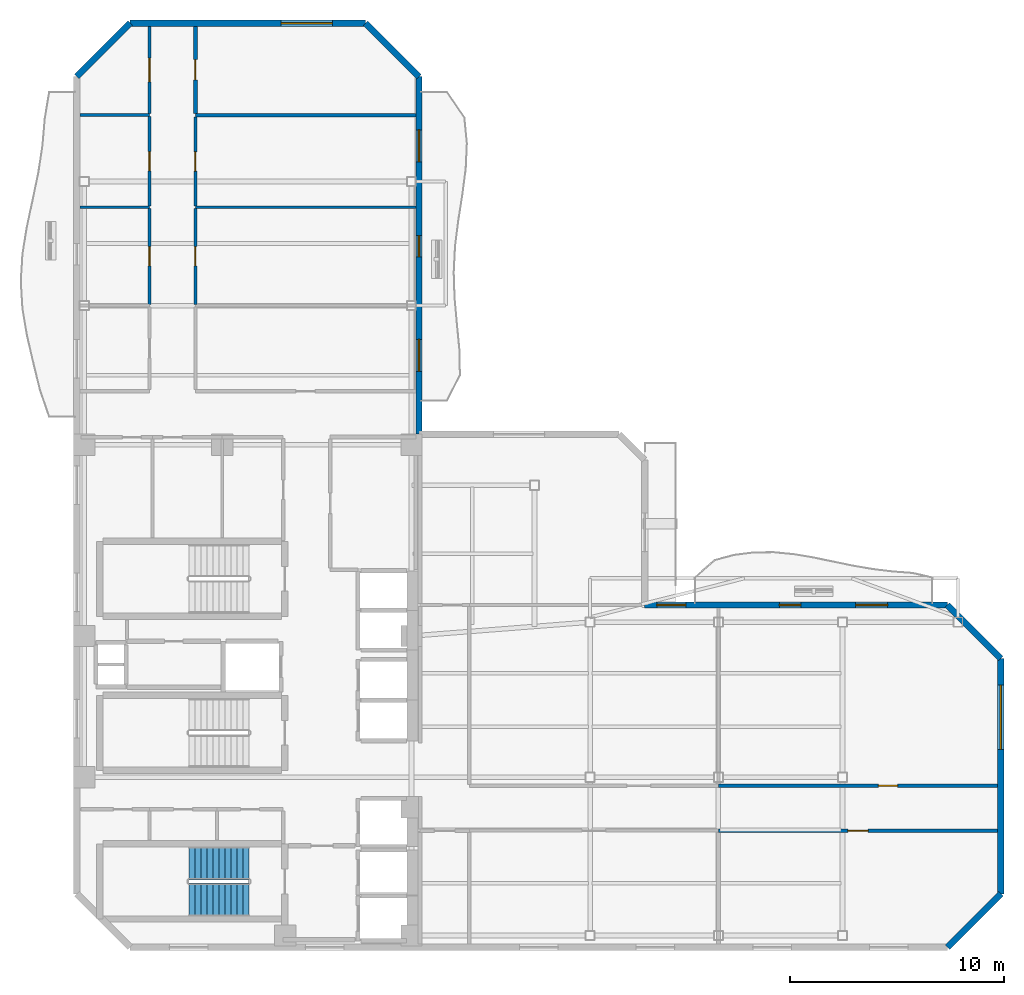
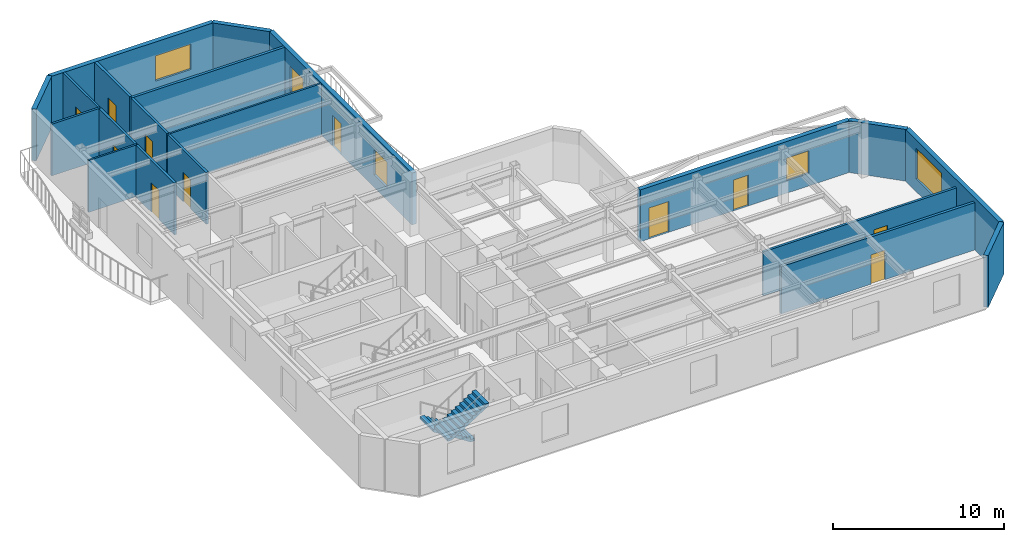
# One storey, part 5 of 8: 20 walls, 11 doors, 5 windows, 2 stair flights, 16 openings, 1 element without a shape of its own.
"""IFC4 building model written with IfcOpenShell, lengths in metres."""

from ifc_helpers import new_model, si_unit, direction, frame, frame_2d, origin, place, context, subcontext, project, spatial, polyline, rectangle, outline, extrude, material, layer, layer_set, type_object, element, fill, aggregate, save


model = new_model("IFC4")

# Units and contexts
model_context = context("Model", 3, precision=1e-05, world=origin(), true_north=direction((0.0, 1.0)))
body_context = subcontext(model_context, "Body", "Model", "MODEL_VIEW")
ifc_project = project(units=[si_unit("LENGTHUNIT", "METRE"), si_unit("AREAUNIT", "SQUARE_METRE"), si_unit("VOLUMEUNIT", "CUBIC_METRE"), si_unit("PLANEANGLEUNIT", "RADIAN"), si_unit("MASSUNIT", "GRAM", prefix="KILO")], contexts=[model_context])

# Site, building, storey
site_placement = place(None, origin())
site = spatial("IfcSite", under=ifc_project, at=site_placement, CompositionType="ELEMENT")
building_placement = place(site_placement, origin())
building = spatial("IfcBuilding", under=site, at=building_placement, Name="Mawjaban Terraces University", CompositionType="ELEMENT")
storey_placement = place(building_placement, frame((0.0, 0.0, 187.5)))
storey = spatial("IfcBuildingStorey", under=building, at=storey_placement, Name="L45", CompositionType="ELEMENT", Elevation=187.5)

# Wall
ifc_material_1 = material(Name="Acoustic masonry blockwork", Category="masonry")
ifc_layer_1 = layer(ifc_material_1, 0.179931640625)
ifc_layer_set_1 = layer_set([ifc_layer_1], Name="Acoustic masonry blockwork")
wall_type_1 = type_object("IfcWallType", Name="AcousticStudioWall_180", PredefinedType="PARTITIONING", material=ifc_layer_set_1)
wall_1_placement = place(storey_placement, frame((37.85009765625, 38.89990234375, 0.0), z_axis=(0.0, 0.0, 1.0), x_axis=(-1.0, 0.0, 0.0)))
element("IfcWall", 1, at=wall_1_placement, inside=storey, type_object=wall_type_1, Name="L45 Student Tea Pantry 11 Partition 20", PredefinedType="PARTITIONING", context=body_context, shape_type="SweptSolid", body=[
    extrude(rectangle(XDim=10.300048828125, YDim=0.179931640625, at=frame_2d((5.14990234375, 0.0))), origin(), (0.0, 0.0, 1.0), 3.68994140625),
])

# Wall, opening, door
wall_2_placement = place(storey_placement, frame((52.0, 5.449951171875, 0.0), z_axis=(0.0, 0.0, 1.0), x_axis=(1.0, 0.0, 0.0)))
wall_2 = element("IfcWall", 2, at=wall_2_placement, inside=storey, type_object=wall_type_1, Name="L45 South Shifted Academic Corridor Partition 25", PredefinedType="PARTITIONING", context=body_context, shape_type="SweptSolid", body=[
    extrude(rectangle(XDim=13.054931640625, YDim=0.179931640625, at=frame_2d((6.52734375, 0.0))), origin(), (0.0, 0.0, 1.0), 3.3720703125),
])
opening_1_placement = place(wall_2_placement, frame((6.052978515625, 0.0, 0.0)))
opening_1 = element("IfcOpeningElement", 3, at=opening_1_placement, cuts=wall_2, Name="Opening ID-095", PredefinedType="OPENING", context=body_context, shape_type="SweptSolid", body=[
    extrude(rectangle(XDim=0.949951171875, YDim=2.10009765625, at=frame_2d((0.47509765625, 1.050048828125))), frame((0.0, 0.099853515625, 0.0), z_axis=(0.0, -1.0, 0.0), x_axis=(1.0, 0.0, 0.0)), (0.0, 0.0, 1.0), 0.199951171875),
])
ifc_material_2 = material(Name="Powder-coated steel frame and solid acoustic timber leaf", Category="steel")
door_type_1 = type_object("IfcDoorType", Name="StudioDoor_950x2100", OperationType="NOTDEFINED", PredefinedType="DOOR", material=ifc_material_2)
door_1_placement = place(opening_1_placement, origin())
door_1 = element("IfcDoor", 4, at=door_1_placement, inside=storey, type_object=door_type_1, Name="L45 Design Studio 4 Door", OperationType="SINGLE_SWING_LEFT", OverallHeight=2.10009765625, OverallWidth=0.949951171875, PredefinedType="DOOR", context=body_context, shape_type="SweptSolid", body=[
    extrude(rectangle(XDim=0.949951171875, YDim=2.10009765625, at=frame_2d((0.47509765625, 1.050048828125))), frame((0.0, 0.02490234375, 0.0), z_axis=(0.0, -1.0, 0.0), x_axis=(1.0, 0.0, 0.0)), (0.0, 0.0, 1.0), 0.050048828125),
])
fill(opening_1, door_1)

wall_3_placement = place(storey_placement, frame((27.550048828125, 38.985107421875, 0.0), z_axis=(0.0, 0.0, 1.0), x_axis=(0.0, 1.0, 0.0)))
wall_3 = element("IfcWall", 5, at=wall_3_placement, inside=storey, type_object=wall_type_1, Name="L45 West Shifted Academic Corridor Partition 38", PredefinedType="PARTITIONING", context=body_context, shape_type="SweptSolid", body=[
    extrude(rectangle(XDim=4.06982421875, YDim=0.179931640625, at=frame_2d((2.034912109375, 0.0))), origin(), (0.0, 0.0, 1.0), 3.68994140625),
])
opening_2_placement = place(wall_3_placement, frame((1.56005859375, 0.0, 0.0)))
opening_2 = element("IfcOpeningElement", 6, at=opening_2_placement, cuts=wall_3, Name="Opening ID-095", PredefinedType="OPENING", context=body_context, shape_type="SweptSolid", body=[
    extrude(rectangle(XDim=0.949951171875, YDim=2.10009765625, at=frame_2d((0.47509765625, 1.050048828125))), frame((0.0, 0.099853515625, 0.0), z_axis=(0.0, -1.0, 0.0), x_axis=(1.0, 0.0, 0.0)), (0.0, 0.0, 1.0), 0.199951171875),
])
door_2_placement = place(opening_2_placement, origin())
door_2 = element("IfcDoor", 7, at=door_2_placement, inside=storey, type_object=door_type_1, Name="L45 Design Studio 13 Door", OperationType="SINGLE_SWING_RIGHT", OverallHeight=2.10009765625, OverallWidth=0.949951171875, PredefinedType="DOOR", context=body_context, shape_type="SweptSolid", body=[
    extrude(rectangle(XDim=0.949951171875, YDim=2.10009765625, at=frame_2d((0.47509765625, 1.050048828125))), frame((0.0, 0.02490234375, 0.0), z_axis=(0.0, -1.0, 0.0), x_axis=(1.0, 0.0, 0.0)), (0.0, 0.0, 1.0), 0.050048828125),
])
fill(opening_2, door_2)

ifc_material_3 = material(Name="Fire-rated gypsum board on steel stud", Category="steel")
ifc_layer_2 = layer(ifc_material_3, 0.159912109375)
ifc_layer_set_2 = layer_set([ifc_layer_2], Name="Fire-rated gypsum board on steel stud")
wall_type_2 = type_object("IfcWallType", Name="CorridorPartition_160", PredefinedType="PARTITIONING", material=ifc_layer_set_2)
wall_4_placement = place(storey_placement, frame((65.054931640625, 7.550048828125, 0.0), z_axis=(0.0, 0.0, 1.0), x_axis=(-1.0, 0.0, 0.0)))
wall_4 = element("IfcWall", 8, at=wall_4_placement, inside=storey, type_object=wall_type_2, Name="L45 South Shifted Academic Corridor Partition 27", PredefinedType="PARTITIONING", context=body_context, shape_type="SweptSolid", body=[
    extrude(rectangle(XDim=13.054931640625, YDim=0.159912109375, at=frame_2d((6.52734375, 0.0))), origin(), (0.0, 0.0, 1.0), 3.14599609375),
])
opening_3_placement = place(wall_4_placement, frame((4.677978515625, 0.0, 0.0)))
opening_3 = element("IfcOpeningElement", 9, at=opening_3_placement, cuts=wall_4, Name="Opening ID-090", PredefinedType="OPENING", context=body_context, shape_type="SweptSolid", body=[
    extrude(rectangle(XDim=0.89990234375, YDim=2.10009765625, at=frame_2d((0.449951171875, 1.050048828125))), frame((0.0, 0.08984375, 0.0), z_axis=(0.0, -1.0, 0.0), x_axis=(1.0, 0.0, 0.0)), (0.0, 0.0, 1.0), 0.179931640625),
])
door_type_2 = type_object("IfcDoorType", Name="OfficeDoor_900x2100", OperationType="NOTDEFINED", PredefinedType="DOOR", material=ifc_material_2)
door_3_placement = place(opening_3_placement, origin())
door_3 = element("IfcDoor", 10, at=door_3_placement, inside=storey, type_object=door_type_2, Name="L45 Faculty Office 5 Door", OperationType="SINGLE_SWING_RIGHT", OverallHeight=2.10009765625, OverallWidth=0.89990234375, PredefinedType="DOOR", context=body_context, shape_type="SweptSolid", body=[
    extrude(rectangle(XDim=0.89990234375, YDim=2.10009765625, at=frame_2d((0.449951171875, 1.050048828125))), frame((0.0, 0.02490234375, 0.0), z_axis=(0.0, -1.0, 0.0), x_axis=(1.0, 0.0, 0.0)), (0.0, 0.0, 1.0), 0.050048828125),
])
fill(opening_3, door_3)

wall_5_placement = place(storey_placement, frame((25.39990234375, 34.54296875, 0.0), z_axis=(0.0, 0.0, 1.0), x_axis=(0.0, -1.0, 0.0)))
wall_5 = element("IfcWall", 11, at=wall_5_placement, inside=storey, type_object=wall_type_2, Name="L45 West Shifted Academic Corridor Partition 31", PredefinedType="PARTITIONING", context=body_context, shape_type="SweptSolid", body=[
    extrude(rectangle(XDim=4.48486328125, YDim=0.159912109375, at=frame_2d((2.242431640625, 0.0))), origin(), (0.0, 0.0, 1.0), 3.68994140625),
])
opening_4_placement = place(wall_5_placement, frame((1.7919921875, 0.0, 0.0)))
opening_4 = element("IfcOpeningElement", 12, at=opening_4_placement, cuts=wall_5, Name="Opening ID-090", PredefinedType="OPENING", context=body_context, shape_type="SweptSolid", body=[
    extrude(rectangle(XDim=0.89990234375, YDim=2.10009765625, at=frame_2d((0.449951171875, 1.050048828125))), frame((0.0, 0.08984375, 0.0), z_axis=(0.0, -1.0, 0.0), x_axis=(1.0, 0.0, 0.0)), (0.0, 0.0, 1.0), 0.179931640625),
])
door_4_placement = place(opening_4_placement, origin())
door_4 = element("IfcDoor", 13, at=door_4_placement, inside=storey, type_object=door_type_2, Name="L45 Faculty Office 8 Door", OperationType="SINGLE_SWING_LEFT", OverallHeight=2.10009765625, OverallWidth=0.89990234375, PredefinedType="DOOR", context=body_context, shape_type="SweptSolid", body=[
    extrude(rectangle(XDim=0.89990234375, YDim=2.10009765625, at=frame_2d((0.449951171875, 1.050048828125))), frame((0.0, 0.02490234375, 0.0), z_axis=(0.0, -1.0, 0.0), x_axis=(1.0, 0.0, 0.0)), (0.0, 0.0, 1.0), 0.050048828125),
])
fill(opening_4, door_4)

wall_6_placement = place(storey_placement, frame((25.39990234375, 38.83203125, 0.0), z_axis=(0.0, 0.0, 1.0), x_axis=(0.0, -1.0, 0.0)))
wall_6 = element("IfcWall", 14, at=wall_6_placement, inside=storey, type_object=wall_type_2, Name="L45 West Shifted Academic Corridor Partition 32", PredefinedType="PARTITIONING", context=body_context, shape_type="SweptSolid", body=[
    extrude(rectangle(XDim=4.175048828125, YDim=0.159912109375, at=frame_2d((2.08740234375, 0.0))), origin(), (0.0, 0.0, 1.0), 3.68994140625),
])
opening_5_placement = place(wall_6_placement, frame((1.637939453125, 0.0, 0.0)))
opening_5 = element("IfcOpeningElement", 15, at=opening_5_placement, cuts=wall_6, Name="Opening ID-090", PredefinedType="OPENING", context=body_context, shape_type="SweptSolid", body=[
    extrude(rectangle(XDim=0.89990234375, YDim=2.10009765625, at=frame_2d((0.449951171875, 1.050048828125))), frame((0.0, 0.08984375, 0.0), z_axis=(0.0, -1.0, 0.0), x_axis=(1.0, 0.0, 0.0)), (0.0, 0.0, 1.0), 0.179931640625),
])
door_5_placement = place(opening_5_placement, origin())
door_5 = element("IfcDoor", 16, at=door_5_placement, inside=storey, type_object=door_type_2, Name="L45 Faculty Office 10 Door", OperationType="SINGLE_SWING_LEFT", OverallHeight=2.10009765625, OverallWidth=0.89990234375, PredefinedType="DOOR", context=body_context, shape_type="SweptSolid", body=[
    extrude(rectangle(XDim=0.89990234375, YDim=2.10009765625, at=frame_2d((0.449951171875, 1.050048828125))), frame((0.0, 0.02490234375, 0.0), z_axis=(0.0, -1.0, 0.0), x_axis=(1.0, 0.0, 0.0)), (0.0, 0.0, 1.0), 0.050048828125),
])
fill(opening_5, door_5)

wall_7_placement = place(storey_placement, frame((27.550048828125, 30.05810546875, 0.0), z_axis=(0.0, 0.0, 1.0), x_axis=(0.0, 1.0, 0.0)))
wall_7 = element("IfcWall", 17, at=wall_7_placement, inside=storey, type_object=wall_type_2, Name="L45 West Shifted Academic Corridor Partition 36", PredefinedType="PARTITIONING", context=body_context, shape_type="SweptSolid", body=[
    extrude(rectangle(XDim=4.48486328125, YDim=0.159912109375, at=frame_2d((2.242431640625, 0.0))), origin(), (0.0, 0.0, 1.0), 3.68994140625),
])
opening_6_placement = place(wall_7_placement, frame((1.7919921875, 0.0, 0.0)))
opening_6 = element("IfcOpeningElement", 18, at=opening_6_placement, cuts=wall_7, Name="Opening ID-090", PredefinedType="OPENING", context=body_context, shape_type="SweptSolid", body=[
    extrude(rectangle(XDim=0.89990234375, YDim=2.10009765625, at=frame_2d((0.449951171875, 1.050048828125))), frame((0.0, 0.08984375, 0.0), z_axis=(0.0, -1.0, 0.0), x_axis=(1.0, 0.0, 0.0)), (0.0, 0.0, 1.0), 0.179931640625),
])
door_6_placement = place(opening_6_placement, origin())
door_6 = element("IfcDoor", 19, at=door_6_placement, inside=storey, type_object=door_type_2, Name="L45 Departmental Office 9 Door", OperationType="SINGLE_SWING_RIGHT", OverallHeight=2.10009765625, OverallWidth=0.89990234375, PredefinedType="DOOR", context=body_context, shape_type="SweptSolid", body=[
    extrude(rectangle(XDim=0.89990234375, YDim=2.10009765625, at=frame_2d((0.449951171875, 1.050048828125))), frame((0.0, 0.02490234375, 0.0), z_axis=(0.0, -1.0, 0.0), x_axis=(1.0, 0.0, 0.0)), (0.0, 0.0, 1.0), 0.050048828125),
])
fill(opening_6, door_6)

wall_8_placement = place(storey_placement, frame((27.550048828125, 34.656982421875, 0.0), z_axis=(0.0, 0.0, 1.0), x_axis=(0.0, 1.0, 0.0)))
wall_8 = element("IfcWall", 20, at=wall_8_placement, inside=storey, type_object=wall_type_2, Name="L45 West Shifted Academic Corridor Partition 37", PredefinedType="PARTITIONING", context=body_context, shape_type="SweptSolid", body=[
    extrude(rectangle(XDim=4.157958984375, YDim=0.159912109375, at=frame_2d((2.0791015625, 0.0))), origin(), (0.0, 0.0, 1.0), 3.68994140625),
])
opening_7_placement = place(wall_8_placement, frame((1.62890625, 0.0, 0.0)))
opening_7 = element("IfcOpeningElement", 21, at=opening_7_placement, cuts=wall_8, Name="Opening ID-090", PredefinedType="OPENING", context=body_context, shape_type="SweptSolid", body=[
    extrude(rectangle(XDim=0.89990234375, YDim=2.10009765625, at=frame_2d((0.449951171875, 1.050048828125))), frame((0.0, 0.08984375, 0.0), z_axis=(0.0, -1.0, 0.0), x_axis=(1.0, 0.0, 0.0)), (0.0, 0.0, 1.0), 0.179931640625),
])
door_7_placement = place(opening_7_placement, origin())
door_7 = element("IfcDoor", 22, at=door_7_placement, inside=storey, type_object=door_type_2, Name="L45 Student Tea Pantry 11 Door", OperationType="SINGLE_SWING_RIGHT", OverallHeight=2.10009765625, OverallWidth=0.89990234375, PredefinedType="DOOR", context=body_context, shape_type="SweptSolid", body=[
    extrude(rectangle(XDim=0.89990234375, YDim=2.10009765625, at=frame_2d((0.449951171875, 1.050048828125))), frame((0.0, 0.02490234375, 0.0), z_axis=(0.0, -1.0, 0.0), x_axis=(1.0, 0.0, 0.0)), (0.0, 0.0, 1.0), 0.050048828125),
])
fill(opening_7, door_7)

# Wall
ifc_material_4 = material(Name="Insulated terracotta rainscreen on concrete backup C40/50", Category="masonry")
ifc_layer_3 = layer(ifc_material_4, 0.300048828125)
ifc_layer_set_3 = layer_set([ifc_layer_3], Name="Insulated terracotta rainscreen on concrete backup C40/50")
wall_type_3 = type_object("IfcWallType", Name="ExtTerracottaWall_300", PredefinedType="SOLIDWALL", material=ifc_layer_set_3)
wall_9_placement = place(storey_placement, frame((62.699951171875, 0.0, 0.0), z_axis=(0.0, 0.0, 1.0), x_axis=(0.707106781187, 0.707106781187, 0.0)))
element("IfcWall", 23, at=wall_9_placement, inside=storey, type_object=wall_type_3, Name="L45 Exterior Terracotta Wall 2", PredefinedType="SOLIDWALL", context=body_context, shape_type="SweptSolid", body=[
    extrude(rectangle(XDim=3.53564453125, YDim=0.300048828125, at=frame_2d((1.767822265625, 0.0))), origin(), (0.0, 0.0, 1.0), 3.68994140625),
])

# Wall, opening, window
wall_10_placement = place(storey_placement, frame((65.199951171875, 2.5, 0.0), z_axis=(0.0, 0.0, 1.0), x_axis=(0.0, 1.0, 0.0)))
wall_10 = element("IfcWall", 24, at=wall_10_placement, inside=storey, type_object=wall_type_3, Name="L45 Exterior Terracotta Wall 3", PredefinedType="SOLIDWALL", context=body_context, shape_type="SweptSolid", body=[
    extrude(rectangle(XDim=11.0, YDim=0.300048828125, at=frame_2d((5.5, 0.0))), origin(), (0.0, 0.0, 1.0), 3.68994140625),
])
opening_8_placement = place(wall_10_placement, frame((6.75, 0.0, 0.89990234375)))
opening_8 = element("IfcOpeningElement", 25, at=opening_8_placement, cuts=wall_10, Name="Opening W-12", PredefinedType="OPENING", context=body_context, shape_type="SweptSolid", body=[
    extrude(rectangle(XDim=3.0, YDim=2.199951171875, at=frame_2d((1.5, 1.10009765625))), frame((0.0, 0.159912109375, 0.0), z_axis=(0.0, -1.0, 0.0), x_axis=(1.0, 0.0, 0.0)), (0.0, 0.0, 1.0), 0.320068359375),
])
ifc_material_5 = material(Name="Low-E solar-control double glazing in thermally broken aluminium frame", Category="aluminium")
window_type_1 = type_object("IfcWindowType", Name="Win_3000x2200", PartitioningType="SINGLE_PANEL", PredefinedType="WINDOW", material=ifc_material_5)
window_1_placement = place(opening_8_placement, origin())
window_1 = element("IfcWindow", 26, at=window_1_placement, inside=storey, type_object=window_type_1, Name="L45 Facade Window 3.2", OverallHeight=2.199951171875, OverallWidth=3.0, PartitioningType="SINGLE_PANEL", PredefinedType="WINDOW", context=body_context, shape_type="SweptSolid", body=[
    extrude(rectangle(XDim=3.0, YDim=2.199951171875, at=frame_2d((1.5, 1.10009765625))), frame((0.0, 0.030029296875, 0.0), z_axis=(0.0, -1.0, 0.0), x_axis=(1.0, 0.0, 0.0)), (0.0, 0.0, 1.0), 0.06005859375),
])
fill(opening_8, window_1)

# Wall
wall_11_placement = place(storey_placement, frame((65.199951171875, 13.5, 0.0), z_axis=(0.0, 0.0, 1.0), x_axis=(-0.707106781187, 0.707106781187, 0.0)))
element("IfcWall", 27, at=wall_11_placement, inside=storey, type_object=wall_type_3, Name="L45 Exterior Terracotta Wall 4", PredefinedType="SOLIDWALL", context=body_context, shape_type="SweptSolid", body=[
    extrude(rectangle(XDim=3.53564453125, YDim=0.300048828125, at=frame_2d((1.767822265625, 0.0))), origin(), (0.0, 0.0, 1.0), 3.68994140625),
])

# Wall, openings, doors, window
wall_12_placement = place(storey_placement, frame((62.699951171875, 16.0, 0.0), z_axis=(0.0, 0.0, 1.0), x_axis=(-1.0, 0.0, 0.0)))
wall_12 = element("IfcWall", 28, at=wall_12_placement, inside=storey, type_object=wall_type_3, Name="L45 Exterior Terracotta Wall 5", PredefinedType="SOLIDWALL", context=body_context, shape_type="SweptSolid", body=[
    extrude(rectangle(XDim=14.14990234375, YDim=0.300048828125, at=frame_2d((7.074951171875, 0.0))), origin(), (0.0, 0.0, 1.0), 3.68994140625),
])
opening_9_placement = place(wall_12_placement, frame((6.85009765625, 0.0, 0.0)))
opening_9 = element("IfcOpeningElement", 29, at=opening_9_placement, cuts=wall_12, Name="Opening BD-100", PredefinedType="OPENING", context=body_context, shape_type="SweptSolid", body=[
    extrude(rectangle(XDim=1.0, YDim=2.199951171875, at=frame_2d((0.5, 1.10009765625))), frame((0.0, 0.159912109375, 0.0), z_axis=(0.0, -1.0, 0.0), x_axis=(1.0, 0.0, 0.0)), (0.0, 0.0, 1.0), 0.320068359375),
])
opening_10_placement = place(wall_12_placement, frame((12.22509765625, 0.0, 0.0)))
opening_10 = element("IfcOpeningElement", 30, at=opening_10_placement, cuts=wall_12, Name="Opening TD-135", PredefinedType="OPENING", context=body_context, shape_type="SweptSolid", body=[
    extrude(rectangle(XDim=1.35009765625, YDim=2.199951171875, at=frame_2d((0.675048828125, 1.10009765625))), frame((0.0, 0.159912109375, 0.0), z_axis=(0.0, -1.0, 0.0), x_axis=(1.0, 0.0, 0.0)), (0.0, 0.0, 1.0), 0.320068359375),
])
opening_11_placement = place(wall_12_placement, frame((2.7880859375, 0.0, 0.89990234375)))
opening_11 = element("IfcOpeningElement", 31, at=opening_11_placement, cuts=wall_12, Name="Opening W-02", PredefinedType="OPENING", context=body_context, shape_type="SweptSolid", body=[
    extrude(rectangle(XDim=1.5, YDim=1.60009765625, at=frame_2d((0.75, 0.800048828125))), frame((0.0, 0.159912109375, 0.0), z_axis=(0.0, -1.0, 0.0), x_axis=(1.0, 0.0, 0.0)), (0.0, 0.0, 1.0), 0.320068359375),
])
ifc_material_6 = material(Name="Thermally broken anodised aluminium and laminated safety glass", Category="aluminium")
door_type_3 = type_object("IfcDoorType", Name="BalconyGlazedDoor_1000x2200", OperationType="NOTDEFINED", PredefinedType="DOOR", material=ifc_material_6)
door_8_placement = place(opening_9_placement, origin())
door_8 = element("IfcDoor", 32, at=door_8_placement, inside=storey, type_object=door_type_3, Name="L45 Balcony Access Door inner_north", OperationType="SINGLE_SWING_RIGHT", OverallHeight=2.199951171875, OverallWidth=1.0, PredefinedType="DOOR", context=body_context, shape_type="SweptSolid", body=[
    extrude(rectangle(XDim=1.0, YDim=2.199951171875, at=frame_2d((0.5, 1.10009765625))), frame((0.0, 0.02490234375, 0.0), z_axis=(0.0, -1.0, 0.0), x_axis=(1.0, 0.0, 0.0)), (0.0, 0.0, 1.0), 0.050048828125),
])
fill(opening_9, door_8)
door_type_4 = type_object("IfcDoorType", Name="TerraceGlazedDoor_1350x2200", OperationType="NOTDEFINED", PredefinedType="DOOR", material=ifc_material_6)
door_9_placement = place(opening_10_placement, origin())
door_9 = element("IfcDoor", 33, at=door_9_placement, inside=storey, type_object=door_type_4, Name="L45 Terrace Access Door TER-L45-CLIMB", OperationType="SINGLE_SWING_RIGHT", OverallHeight=2.199951171875, OverallWidth=1.35009765625, PredefinedType="DOOR", context=body_context, shape_type="SweptSolid", body=[
    extrude(rectangle(XDim=1.35009765625, YDim=2.199951171875, at=frame_2d((0.675048828125, 1.10009765625))), frame((0.0, 0.02490234375, 0.0), z_axis=(0.0, -1.0, 0.0), x_axis=(1.0, 0.0, 0.0)), (0.0, 0.0, 1.0), 0.050048828125),
])
fill(opening_10, door_9)
window_type_2 = type_object("IfcWindowType", Name="Win_1500x1600", PartitioningType="SINGLE_PANEL", PredefinedType="WINDOW", material=ifc_material_5)
window_2_placement = place(opening_11_placement, origin())
window_2 = element("IfcWindow", 34, at=window_2_placement, inside=storey, type_object=window_type_2, Name="L45 Facade Window 5.1", OverallHeight=1.60009765625, OverallWidth=1.5, PartitioningType="SINGLE_PANEL", PredefinedType="WINDOW", context=body_context, shape_type="SweptSolid", body=[
    extrude(rectangle(XDim=1.5, YDim=1.60009765625, at=frame_2d((0.75, 0.800048828125))), frame((0.0, 0.030029296875, 0.0), z_axis=(0.0, -1.0, 0.0), x_axis=(1.0, 0.0, 0.0)), (0.0, 0.0, 1.0), 0.06005859375),
])
fill(opening_11, window_2)

# Wall, openings, door, windows
wall_13_placement = place(storey_placement, frame((38.0, 23.988037109375, 0.0), z_axis=(0.0, 0.0, 1.0), x_axis=(0.0, 1.0, 0.0)))
wall_13 = element("IfcWall", 35, at=wall_13_placement, inside=storey, type_object=wall_type_3, Name="L45 Exterior Terracotta Wall 9", PredefinedType="SOLIDWALL", context=body_context, shape_type="SweptSolid", body=[
    extrude(rectangle(XDim=16.7119140625, YDim=0.300048828125, at=frame_2d((8.35595703125, 0.0))), origin(), (0.0, 0.0, 1.0), 3.68994140625),
])
opening_12_placement = place(wall_13_placement, frame((8.281982421875, 0.0, 0.0)))
opening_12 = element("IfcOpeningElement", 36, at=opening_12_placement, cuts=wall_13, Name="Opening BD-100", PredefinedType="OPENING", context=body_context, shape_type="SweptSolid", body=[
    extrude(rectangle(XDim=1.0, YDim=2.199951171875, at=frame_2d((0.5, 1.10009765625))), frame((0.0, 0.159912109375, 0.0), z_axis=(0.0, -1.0, 0.0), x_axis=(1.0, 0.0, 0.0)), (0.0, 0.0, 1.0), 0.320068359375),
])
opening_13_placement = place(wall_13_placement, frame((2.93505859375, 0.0, 0.89990234375)))
opening_13 = element("IfcOpeningElement", 37, at=opening_13_placement, cuts=wall_13, Name="Opening W-06", PredefinedType="OPENING", context=body_context, shape_type="SweptSolid", body=[
    extrude(rectangle(XDim=1.5, YDim=1.800048828125, at=frame_2d((0.75, 0.89990234375))), frame((0.0, 0.159912109375, 0.0), z_axis=(0.0, -1.0, 0.0), x_axis=(1.0, 0.0, 0.0)), (0.0, 0.0, 1.0), 0.320068359375),
])
opening_14_placement = place(wall_13_placement, frame((12.72705078125, 0.0, 0.89990234375)))
opening_14 = element("IfcOpeningElement", 38, at=opening_14_placement, cuts=wall_13, Name="Opening W-06", PredefinedType="OPENING", context=body_context, shape_type="SweptSolid", body=[
    extrude(rectangle(XDim=1.5, YDim=1.800048828125, at=frame_2d((0.75, 0.89990234375))), frame((0.0, 0.159912109375, 0.0), z_axis=(0.0, -1.0, 0.0), x_axis=(1.0, 0.0, 0.0)), (0.0, 0.0, 1.0), 0.320068359375),
])
door_10_placement = place(opening_12_placement, origin())
door_10 = element("IfcDoor", 39, at=door_10_placement, inside=storey, type_object=door_type_3, Name="L45 Balcony Access Door inner_east", OperationType="SINGLE_SWING_RIGHT", OverallHeight=2.199951171875, OverallWidth=1.0, PredefinedType="DOOR", context=body_context, shape_type="SweptSolid", body=[
    extrude(rectangle(XDim=1.0, YDim=2.199951171875, at=frame_2d((0.5, 1.10009765625))), frame((0.0, 0.02490234375, 0.0), z_axis=(0.0, -1.0, 0.0), x_axis=(1.0, 0.0, 0.0)), (0.0, 0.0, 1.0), 0.050048828125),
])
fill(opening_12, door_10)
window_type_3 = type_object("IfcWindowType", Name="Win_1500x1800", PartitioningType="SINGLE_PANEL", PredefinedType="WINDOW", material=ifc_material_5)
window_3_placement = place(opening_13_placement, origin())
window_3 = element("IfcWindow", 40, at=window_3_placement, inside=storey, type_object=window_type_3, Name="L45 Facade Window 9.1", OverallHeight=1.800048828125, OverallWidth=1.5, PartitioningType="SINGLE_PANEL", PredefinedType="WINDOW", context=body_context, shape_type="SweptSolid", body=[
    extrude(rectangle(XDim=1.5, YDim=1.800048828125, at=frame_2d((0.75, 0.89990234375))), frame((0.0, 0.030029296875, 0.0), z_axis=(0.0, -1.0, 0.0), x_axis=(1.0, 0.0, 0.0)), (0.0, 0.0, 1.0), 0.06005859375),
])
fill(opening_13, window_3)
window_4_placement = place(opening_14_placement, origin())
window_4 = element("IfcWindow", 41, at=window_4_placement, inside=storey, type_object=window_type_3, Name="L45 Facade Window 9.3", OverallHeight=1.800048828125, OverallWidth=1.5, PartitioningType="SINGLE_PANEL", PredefinedType="WINDOW", context=body_context, shape_type="SweptSolid", body=[
    extrude(rectangle(XDim=1.5, YDim=1.800048828125, at=frame_2d((0.75, 0.89990234375))), frame((0.0, 0.030029296875, 0.0), z_axis=(0.0, -1.0, 0.0), x_axis=(1.0, 0.0, 0.0)), (0.0, 0.0, 1.0), 0.06005859375),
])
fill(opening_14, window_4)

# Wall
wall_14_placement = place(storey_placement, frame((38.0, 40.699951171875, 0.0), z_axis=(0.0, 0.0, 1.0), x_axis=(-0.707106781187, 0.707106781187, 0.0)))
element("IfcWall", 42, at=wall_14_placement, inside=storey, type_object=wall_type_3, Name="L45 Exterior Terracotta Wall 10", PredefinedType="SOLIDWALL", context=body_context, shape_type="SweptSolid", body=[
    extrude(rectangle(XDim=3.53564453125, YDim=0.300048828125, at=frame_2d((1.767822265625, 0.0))), origin(), (0.0, 0.0, 1.0), 3.68994140625),
])

# Wall, opening, window
wall_15_placement = place(storey_placement, frame((35.5, 43.199951171875, 0.0), z_axis=(0.0, 0.0, 1.0), x_axis=(-1.0, 0.0, 0.0)))
wall_15 = element("IfcWall", 43, at=wall_15_placement, inside=storey, type_object=wall_type_3, Name="L45 Exterior Terracotta Wall 11", PredefinedType="SOLIDWALL", context=body_context, shape_type="SweptSolid", body=[
    extrude(rectangle(XDim=11.0, YDim=0.300048828125, at=frame_2d((5.5, 0.0))), origin(), (0.0, 0.0, 1.0), 3.68994140625),
])
opening_15_placement = place(wall_15_placement, frame((1.550048828125, 0.0, 0.89990234375)))
opening_15 = element("IfcOpeningElement", 44, at=opening_15_placement, cuts=wall_15, Name="Opening W-08", PredefinedType="OPENING", context=body_context, shape_type="SweptSolid", body=[
    extrude(rectangle(XDim=2.39990234375, YDim=1.800048828125, at=frame_2d((1.199951171875, 0.89990234375))), frame((0.0, 0.159912109375, 0.0), z_axis=(0.0, -1.0, 0.0), x_axis=(1.0, 0.0, 0.0)), (0.0, 0.0, 1.0), 0.320068359375),
])
window_type_4 = type_object("IfcWindowType", Name="Win_2400x1800", PartitioningType="SINGLE_PANEL", PredefinedType="WINDOW", material=ifc_material_5)
window_5_placement = place(opening_15_placement, origin())
window_5 = element("IfcWindow", 45, at=window_5_placement, inside=storey, type_object=window_type_4, Name="L45 Facade Window 11.1", OverallHeight=1.800048828125, OverallWidth=2.39990234375, PartitioningType="SINGLE_PANEL", PredefinedType="WINDOW", context=body_context, shape_type="SweptSolid", body=[
    extrude(rectangle(XDim=2.39990234375, YDim=1.800048828125, at=frame_2d((1.199951171875, 0.89990234375))), frame((0.0, 0.030029296875, 0.0), z_axis=(0.0, -1.0, 0.0), x_axis=(1.0, 0.0, 0.0)), (0.0, 0.0, 1.0), 0.06005859375),
])
fill(opening_15, window_5)

# Walls
wall_16_placement = place(storey_placement, frame((24.5, 43.199951171875, 0.0), z_axis=(0.0, 0.0, 1.0), x_axis=(-0.707106781187, -0.707106781187, 0.0)))
element("IfcWall", 46, at=wall_16_placement, inside=storey, type_object=wall_type_3, Name="L45 Exterior Terracotta Wall 12", PredefinedType="SOLIDWALL", context=body_context, shape_type="SweptSolid", body=[
    extrude(rectangle(XDim=3.53564453125, YDim=0.300048828125, at=frame_2d((1.767822265625, 0.0))), origin(), (0.0, 0.0, 1.0), 3.68994140625),
])
ifc_material_7 = material(Name="Moisture-resistant gypsum board on steel stud", Category="steel")
ifc_layer_4 = layer(ifc_material_7, 0.14501953125)
ifc_layer_set_4 = layer_set([ifc_layer_4], Name="Moisture-resistant gypsum board on steel stud")
wall_type_4 = type_object("IfcWallType", Name="LabPartition_145", PredefinedType="PARTITIONING", material=ifc_layer_set_4)
wall_17_placement = place(storey_placement, frame((25.39990234375, 38.89990234375, 0.0), z_axis=(0.0, 0.0, 1.0), x_axis=(-1.0, 0.0, 0.0)))
element("IfcWall", 47, at=wall_17_placement, inside=storey, type_object=wall_type_4, Name="L45 Faculty Office 10 Partition 8", PredefinedType="PARTITIONING", context=body_context, shape_type="SweptSolid", body=[
    extrude(rectangle(XDim=3.2548828125, YDim=0.14501953125, at=frame_2d((1.62744140625, 0.0))), origin(), (0.0, 0.0, 1.0), 3.68994140625),
])

# Wall, opening, door
wall_18_placement = place(storey_placement, frame((25.39990234375, 43.054931640625, 0.0), z_axis=(0.0, 0.0, 1.0), x_axis=(0.0, -1.0, 0.0)))
wall_18 = element("IfcWall", 48, at=wall_18_placement, inside=storey, type_object=wall_type_4, Name="L45 West Shifted Academic Corridor Partition 33", PredefinedType="PARTITIONING", context=body_context, shape_type="SweptSolid", body=[
    extrude(rectangle(XDim=4.0869140625, YDim=0.14501953125, at=frame_2d((2.04345703125, 0.0))), origin(), (0.0, 0.0, 1.0), 3.68994140625),
])
opening_16_placement = place(wall_18_placement, frame((1.492919921875, 0.0, 0.0)))
opening_16 = element("IfcOpeningElement", 49, at=opening_16_placement, cuts=wall_18, Name="Opening ID-110", PredefinedType="OPENING", context=body_context, shape_type="SweptSolid", body=[
    extrude(rectangle(XDim=1.10009765625, YDim=2.14990234375, at=frame_2d((0.550048828125, 1.074951171875))), frame((0.0, 0.08251953125, 0.0), z_axis=(0.0, -1.0, 0.0), x_axis=(1.0, 0.0, 0.0)), (0.0, 0.0, 1.0), 0.1650390625),
])
door_type_5 = type_object("IfcDoorType", Name="LabDoor_1100x2150", OperationType="NOTDEFINED", PredefinedType="DOOR", material=ifc_material_2)
door_11_placement = place(opening_16_placement, origin())
door_11 = element("IfcDoor", 50, at=door_11_placement, inside=storey, type_object=door_type_5, Name="L45 Teaching Laboratory 12 Door", OperationType="SINGLE_SWING_LEFT", OverallHeight=2.14990234375, OverallWidth=1.10009765625, PredefinedType="DOOR", context=body_context, shape_type="SweptSolid", body=[
    extrude(rectangle(XDim=1.10009765625, YDim=2.14990234375, at=frame_2d((0.550048828125, 1.074951171875))), frame((0.0, 0.02490234375, 0.0), z_axis=(0.0, -1.0, 0.0), x_axis=(1.0, 0.0, 0.0)), (0.0, 0.0, 1.0), 0.050048828125),
])
fill(opening_16, door_11)

# Walls
ifc_material_8 = material(Name="Gypsum plasterboard on steel stud", Category="steel")
ifc_layer_5 = layer(ifc_material_8, 0.125)
ifc_layer_set_5 = layer_set([ifc_layer_5], Name="Gypsum plasterboard on steel stud")
wall_type_5 = type_object("IfcWallType", Name="OfficePartition_125", PredefinedType="PARTITIONING", material=ifc_layer_set_5)
wall_19_placement = place(storey_placement, frame((25.39990234375, 34.60009765625, 0.0), z_axis=(0.0, 0.0, 1.0), x_axis=(-1.0, 0.0, 0.0)))
element("IfcWall", 51, at=wall_19_placement, inside=storey, type_object=wall_type_5, Name="L45 Faculty Office 8 Partition 7", PredefinedType="PARTITIONING", context=body_context, shape_type="SweptSolid", body=[
    extrude(rectangle(XDim=3.2548828125, YDim=0.125, at=frame_2d((1.62744140625, 0.0))), origin(), (0.0, 0.0, 1.0), 3.68994140625),
])
wall_20_placement = place(storey_placement, frame((37.85009765625, 34.60009765625, 0.0), z_axis=(0.0, 0.0, 1.0), x_axis=(-1.0, 0.0, 0.0)))
element("IfcWall", 52, at=wall_20_placement, inside=storey, type_object=wall_type_5, Name="L45 Departmental Office 9 Partition 19", PredefinedType="PARTITIONING", context=body_context, shape_type="SweptSolid", body=[
    extrude(rectangle(XDim=10.300048828125, YDim=0.125, at=frame_2d((5.14990234375, 0.0))), origin(), (0.0, 0.0, 1.0), 3.68994140625),
])

# Stair, stair flights
ifc_material_9 = material(Name="Concrete C40/50", Category="concrete")
stair_type = type_object("IfcStairType", Name="Stair_Core1550_H39", PredefinedType="HALF_TURN_STAIR", material=ifc_material_9)
stair_placement = place(storey_placement, origin())
stair = element("IfcStair", 53, at=stair_placement, inside=storey, type_object=stair_type, Name="L45 Core Exit Stair 1", PredefinedType="HALF_TURN_STAIR")
stair_flight_type = type_object("IfcStairFlightType", Name="Flight_Core1550_H39", PredefinedType="STRAIGHT", material=ifc_material_9)
stair_flight_1_placement = place(storey_placement, frame((30.050048828125, 3.925048828125, 0.0), z_axis=(0.0, 0.0, 1.0), x_axis=(-1.0, 0.0, 0.0)))
stair_flight_1 = element("IfcStairFlight", 54, at=stair_flight_1_placement, type_object=stair_flight_type, Name="ST-1 flight 1", NumberOfRisers=11, NumberOfTreads=10, PredefinedType="STRAIGHT", RiserHeight=0.177272727, TreadLength=0.28, context=body_context, shape_type="SweptSolid", body=[
    extrude(outline(polyline([(0.0, 0.0), (0.0, 0.17724609375), (0.280029296875, 0.17724609375), (0.280029296875, 0.3544921875), (0.56005859375, 0.3544921875), (0.56005859375, 0.53173828125), (0.840087890625, 0.53173828125), (0.840087890625, 0.708984375), (1.1201171875, 0.708984375), (1.1201171875, 0.886474609375), (1.39990234375, 0.886474609375), (1.39990234375, 1.063720703125), (1.679931640625, 1.063720703125), (1.679931640625, 1.240966796875), (1.9599609375, 1.240966796875), (1.9599609375, 1.418212890625), (2.239990234375, 1.418212890625), (2.239990234375, 1.595458984375), (2.52001953125, 1.595458984375), (2.52001953125, 1.772705078125), (2.800048828125, 1.772705078125), (2.800048828125, 1.949951171875), (2.800048828125, 1.59521484375), (0.2802734375, 0.0), (0.0, 0.0)])), frame((0.0, 0.77490234375, 0.0), z_axis=(0.0, -1.0, 0.0), x_axis=(1.0, 0.0, 0.0)), (0.0, 0.0, 1.0), 1.550048828125),
])
stair_flight_2_placement = place(storey_placement, frame((27.25, 2.22509765625, 1.949951171875), z_axis=(0.0, 0.0, 1.0), x_axis=(1.0, 0.0, 0.0)))
stair_flight_2 = element("IfcStairFlight", 55, at=stair_flight_2_placement, type_object=stair_flight_type, Name="ST-1 flight 2", NumberOfRisers=11, NumberOfTreads=10, PredefinedType="STRAIGHT", RiserHeight=0.177272727, TreadLength=0.28, context=body_context, shape_type="SweptSolid", body=[
    extrude(outline(polyline([(0.0, 0.0), (0.0, 0.17724609375), (0.280029296875, 0.17724609375), (0.280029296875, 0.3544921875), (0.56005859375, 0.3544921875), (0.56005859375, 0.53173828125), (0.840087890625, 0.53173828125), (0.840087890625, 0.708984375), (1.1201171875, 0.708984375), (1.1201171875, 0.886474609375), (1.39990234375, 0.886474609375), (1.39990234375, 1.063720703125), (1.679931640625, 1.063720703125), (1.679931640625, 1.240966796875), (1.9599609375, 1.240966796875), (1.9599609375, 1.418212890625), (2.239990234375, 1.418212890625), (2.239990234375, 1.595458984375), (2.52001953125, 1.595458984375), (2.52001953125, 1.772705078125), (2.800048828125, 1.772705078125), (2.800048828125, 1.949951171875), (2.800048828125, 1.59521484375), (0.2802734375, 0.0), (0.0, 0.0)])), frame((0.0, 0.77490234375, 0.0), z_axis=(0.0, -1.0, 0.0), x_axis=(1.0, 0.0, 0.0)), (0.0, 0.0, 1.0), 1.550048828125),
])
aggregate(stair, [stair_flight_1, stair_flight_2])

save(model, "model.ifc")
